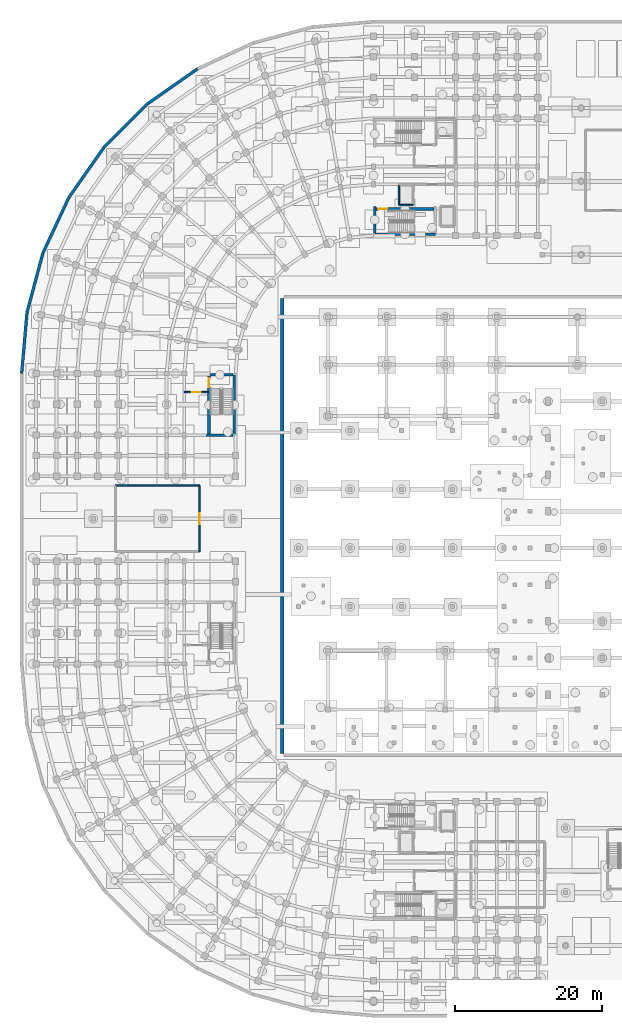
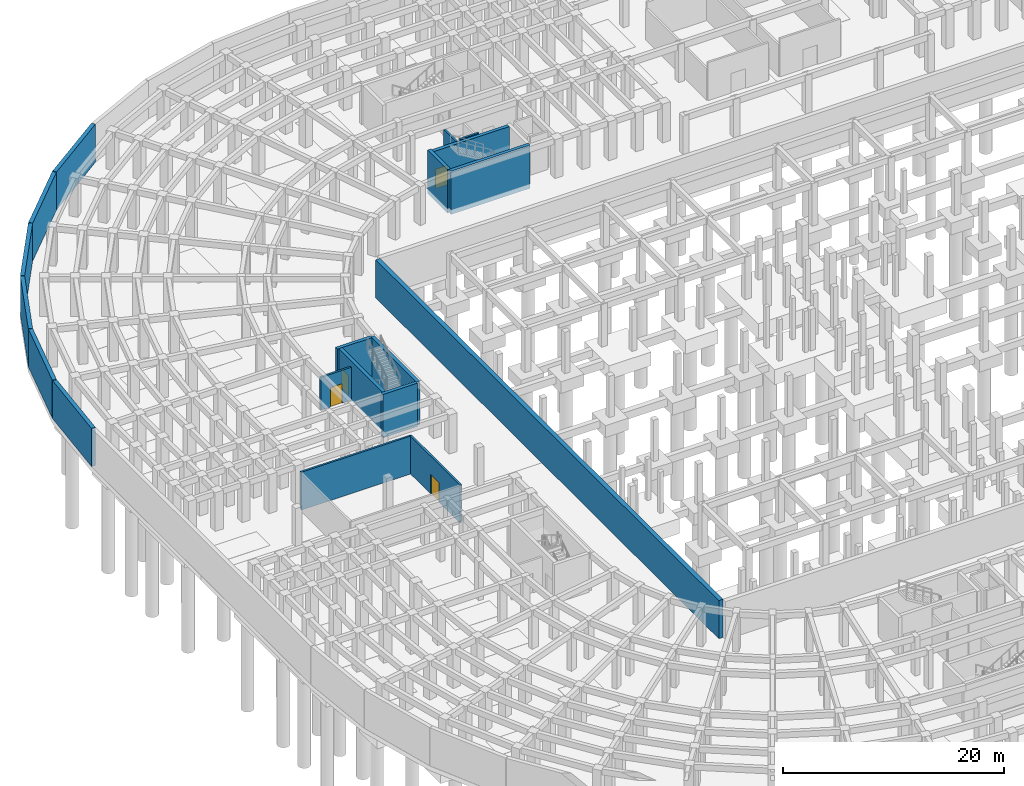
# One storey, part 33 of 53: 19 walls, 4 doors, 4 openings.
"""IFC4 building model written with IfcOpenShell, lengths in metres."""

from ifc_helpers import new_model, si_unit, direction, frame, frame_2d, origin, place, context, subcontext, project, spatial, rectangle, extrude, material, layer, layer_set, type_object, element, fill, save


model = new_model("IFC4")

# Units and contexts
model_context = context("Model", 3, precision=1e-05, world=origin(), true_north=direction((0.0, 1.0)))
body_context = subcontext(model_context, "Body", "Model", "MODEL_VIEW")
ifc_project = project(units=[si_unit("LENGTHUNIT", "METRE"), si_unit("AREAUNIT", "SQUARE_METRE"), si_unit("VOLUMEUNIT", "CUBIC_METRE"), si_unit("PLANEANGLEUNIT", "RADIAN"), si_unit("MASSUNIT", "GRAM", prefix="KILO")], contexts=[model_context])

# Site, building, storey
site_placement = place(None, origin())
site = spatial("IfcSite", under=ifc_project, at=site_placement, CompositionType="ELEMENT")
building_placement = place(site_placement, origin())
building = spatial("IfcBuilding", under=site, at=building_placement, Name="Kiranvali Square Residences", CompositionType="ELEMENT")
storey_placement = place(building_placement, frame((0.0, 0.0, -4.5)))
storey = spatial("IfcBuildingStorey", under=building, at=storey_placement, Name="B1", CompositionType="ELEMENT", Elevation=-4.5)

# Wall, opening, door
ifc_material_1 = material(Name="Autoclaved aerated concrete blockwork masonry", Category="masonry")
ifc_layer_1 = layer(ifc_material_1, 0.199951171875)
ifc_layer_set_1 = layer_set([ifc_layer_1], Name="Autoclaved aerated concrete blockwork masonry")
wall_type_1 = type_object("IfcWallType", Name="WL-COR-200", PredefinedType="STANDARD", material=ifc_layer_set_1)
wall_1_placement = place(storey_placement, frame((25.64990234375, 85.25, 0.0), z_axis=(0.0, 0.0, 1.0), x_axis=(-1.0, 0.0, 0.0)))
wall_1 = element("IfcWall", 1, at=wall_1_placement, inside=storey, type_object=wall_type_1, Name="B1 architectural wall WL-B1-A-S3-V", PredefinedType="STANDARD", context=body_context, shape_type="SweptSolid", body=[
    extrude(rectangle(XDim=3.25, YDim=0.199951171875, at=frame_2d((1.625, 0.0))), origin(), (0.0, 0.0, 1.0), 3.6220703125),
])
opening_1_placement = place(wall_1_placement, frame((1.014892578125, 0.0, 0.0)))
opening_1 = element("IfcOpeningElement", 2, at=opening_1_placement, cuts=wall_1, Name="Opening FD-COR-60", PredefinedType="OPENING", context=body_context, shape_type="SweptSolid", body=[
    extrude(rectangle(XDim=1.219970703125, YDim=2.14990234375, at=frame_2d((0.60986328125, 1.074951171875))), frame((0.0, 0.10986328125, 0.0), z_axis=(0.0, -1.0, 0.0), x_axis=(1.0, 0.0, 0.0)), (0.0, 0.0, 1.0), 0.219970703125),
])
ifc_material_2 = material(Name="Fire-rated acoustic hardwood and mineral-core door assembly", Category="wood")
door_type_1 = type_object("IfcDoorType", Name="DR-FD60-1200", OperationType="NOTDEFINED", PredefinedType="DOOR", material=ifc_material_2)
door_1_placement = place(opening_1_placement, frame((1.219970703125, 0.0, 0.0), z_axis=(0.0, 0.0, 1.0), x_axis=(-1.0, 0.0, 0.0)))
door_1 = element("IfcDoor", 3, at=door_1_placement, inside=storey, type_object=door_type_1, Name="B1 door DR-B1-0010 (DR-FD60-1200)", OperationType="SINGLE_SWING_RIGHT", OverallHeight=2.14990234375, OverallWidth=1.219970703125, PredefinedType="DOOR", context=body_context, shape_type="SweptSolid", body=[
    extrude(rectangle(XDim=1.219970703125, YDim=2.14990234375, at=frame_2d((0.60986328125, 1.074951171875))), frame((0.0, 0.02490234375, 0.0), z_axis=(0.0, -1.0, 0.0), x_axis=(1.0, 0.0, 0.0)), (0.0, 0.0, 1.0), 0.050048828125),
])
fill(opening_1, door_1)

# Walls
ifc_material_3 = material(Name="Concrete M40 (40 MPa)", Category="concrete")
ifc_layer_2 = layer(ifc_material_3, 0.39990234375)
ifc_layer_set_2 = layer_set([ifc_layer_2], Name="Concrete M40 (40 MPa)")
wall_type_2 = type_object("IfcWallType", Name="WL-RET-400", PredefinedType="USERDEFINED", material=ifc_layer_set_2)
for number, where, z_axis, x_axis, name in (
    (4, (24.18701171875, 129.3359375, 0.0), (0.0, 0.0, 1.0), (-0.819136644186, -0.573598429348, 0.0), "Shaped street-perimeter basement retaining wall 31"),
    (5, (17.33935546875, 124.534912109375, 0.0), (0.0, 0.0, 1.0), (-0.707106781187, -0.707106781187, 0.0), "Shaped street-perimeter basement retaining wall 32"),
    (6, (11.42919921875, 118.617919921875, 0.0), (0.0, 0.0, 1.0), (-0.573598429348, -0.819136644186, 0.0), "Shaped street-perimeter basement retaining wall 33"),
    (7, (6.63623046875, 111.7646484375, 0.0), (0.0, 0.0, 1.0), (-0.422607112374, -0.906312985988, 0.0), "Shaped street-perimeter basement retaining wall 34"),
    (8, (3.106201171875, 104.18310546875, 0.0), (0.0, 0.0, 1.0), (-0.258820304836, -0.965925488744, 0.0), "Shaped street-perimeter basement retaining wall 35"),
):
    element("IfcWall", number, at=place(storey_placement, frame(where, z_axis=z_axis, x_axis=x_axis)), inside=storey, type_object=wall_type_2, Name=name, ObjectType="RETAINING WALL", PredefinedType="USERDEFINED", context=body_context, shape_type="SweptSolid", body=[
        extrude(rectangle(XDim=8.307373046875, YDim=0.39990234375, at=frame_2d((4.15380859375, 0.0))), origin(), (0.0, 0.0, 1.0), 4.199951171875),
    ])
wall_2_placement = place(storey_placement, frame((0.946533203125, 96.103759765625, 0.0), z_axis=(0.0, 0.0, 1.0), x_axis=(-0.087164762929, -0.996193908887, 0.0)))
element("IfcWall", 9, at=wall_2_placement, inside=storey, type_object=wall_type_2, Name="Shaped street-perimeter basement retaining wall 36", ObjectType="RETAINING WALL", PredefinedType="USERDEFINED", context=body_context, shape_type="SweptSolid", body=[
    extrude(rectangle(XDim=8.3076171875, YDim=0.39990234375, at=frame_2d((4.15380859375, 0.0))), origin(), (0.0, 0.0, 1.0), 4.199951171875),
])
ifc_layer_3 = layer(ifc_material_3, 0.449951171875)
ifc_layer_set_3 = layer_set([ifc_layer_3], Name="Concrete M40 (40 MPa)")
wall_type_3 = type_object("IfcWallType", Name="WL-RET-450", PredefinedType="USERDEFINED", material=ifc_layer_set_3)
wall_3_placement = place(storey_placement, frame((35.77490234375, 98.0, 0.0), z_axis=(0.0, 0.0, 1.0), x_axis=(0.0, -1.0, 0.0)))
element("IfcWall", 10, at=wall_3_placement, inside=storey, type_object=wall_type_3, Name="Central garden substructure retaining wall RW-GDN-W", ObjectType="RETAINING WALL", PredefinedType="USERDEFINED", context=body_context, shape_type="SweptSolid", body=[
    extrude(rectangle(XDim=62.0, YDim=0.449951171875, at=frame_2d((31.0, 0.0))), origin(), (0.0, 0.0, 1.0), 4.199951171875),
])
ifc_layer_4 = layer(ifc_material_1, 0.199951171875)
ifc_layer_set_4 = layer_set([ifc_layer_4], Name="Autoclaved aerated concrete blockwork masonry")
wall_type_4 = type_object("IfcWallType", Name="WL-SHF-200", PredefinedType="STANDARD", material=ifc_layer_set_4)
wall_4_placement = place(storey_placement, frame((51.64990234375, 110.75, 0.0), z_axis=(0.0, 0.0, 1.0), x_axis=(1.0, 0.0, 0.0)))
element("IfcWall", 11, at=wall_4_placement, inside=storey, type_object=wall_type_4, Name="B1 architectural wall WL-B1-A-LP2-S0", PredefinedType="STANDARD", context=body_context, shape_type="SweptSolid", body=[
    extrude(rectangle(XDim=2.0, YDim=0.199951171875, at=frame_2d((1.0, 0.0))), origin(), (0.0, 0.0, 1.0), 4.179931640625),
])
wall_5_placement = place(storey_placement, frame((51.64990234375, 110.85009765625, 0.0), z_axis=(0.0, 0.0, 1.0), x_axis=(0.0, 1.0, 0.0)))
element("IfcWall", 12, at=wall_5_placement, inside=storey, type_object=wall_type_4, Name="B1 architectural wall WL-B1-A-LP2-S1", PredefinedType="STANDARD", context=body_context, shape_type="SweptSolid", body=[
    extrude(rectangle(XDim=2.599853515625, YDim=0.199951171875, at=frame_2d((1.2998046875, 0.0))), origin(), (0.0, 0.0, 1.0), 3.6220703125),
])

# Wall, opening, door
wall_6_placement = place(storey_placement, frame((24.5, 63.5, 0.0), z_axis=(0.0, 0.0, 1.0), x_axis=(0.0, 1.0, 0.0)))
wall_6 = element("IfcWall", 13, at=wall_6_placement, inside=storey, type_object=wall_type_4, Name="B1 architectural wall WL-B1-CYC-N-E", PredefinedType="STANDARD", context=body_context, shape_type="SweptSolid", body=[
    extrude(rectangle(XDim=9.0, YDim=0.199951171875, at=frame_2d((4.5, 0.0))), origin(), (0.0, 0.0, 1.0), 4.179931640625),
])
opening_2_placement = place(wall_6_placement, frame((3.72998046875, 0.0, 0.0)))
opening_2 = element("IfcOpeningElement", 14, at=opening_2_placement, cuts=wall_6, Name="Opening SD-PLT-120", PredefinedType="OPENING", context=body_context, shape_type="SweptSolid", body=[
    extrude(rectangle(XDim=1.5400390625, YDim=2.14990234375, at=frame_2d((0.77001953125, 1.074951171875))), frame((0.0, 0.10986328125, 0.0), z_axis=(0.0, -1.0, 0.0), x_axis=(1.0, 0.0, 0.0)), (0.0, 0.0, 1.0), 0.219970703125),
])
ifc_material_4 = material(Name="Galvanised powder-coated steel roller shutter", Category="steel")
door_type_2 = type_object("IfcDoorType", Name="DR-STEEL-1500", OperationType="NOTDEFINED", PredefinedType="DOOR", material=ifc_material_4)
door_2_placement = place(opening_2_placement, frame((1.5400390625, 0.0, 0.0), z_axis=(0.0, 0.0, 1.0), x_axis=(-1.0, 0.0, 0.0)))
door_2 = element("IfcDoor", 15, at=door_2_placement, inside=storey, type_object=door_type_2, Name="B1 door DR-B1-0040 (DR-STEEL-1500)", OperationType="SINGLE_SWING_RIGHT", OverallHeight=2.14990234375, OverallWidth=1.5400390625, PredefinedType="DOOR", context=body_context, shape_type="SweptSolid", body=[
    extrude(rectangle(XDim=1.5400390625, YDim=2.14990234375, at=frame_2d((0.77001953125, 1.074951171875))), frame((0.0, 0.02490234375, 0.0), z_axis=(0.0, -1.0, 0.0), x_axis=(1.0, 0.0, 0.0)), (0.0, 0.0, 1.0), 0.050048828125),
])
fill(opening_2, door_2)

# Walls
wall_7_placement = place(storey_placement, frame((24.5, 72.5, 0.0), z_axis=(0.0, 0.0, 1.0), x_axis=(-1.0, 0.0, 0.0)))
element("IfcWall", 16, at=wall_7_placement, inside=storey, type_object=wall_type_4, Name="B1 architectural wall WL-B1-CYC-N-N", PredefinedType="STANDARD", context=body_context, shape_type="SweptSolid", body=[
    extrude(rectangle(XDim=11.5, YDim=0.199951171875, at=frame_2d((5.75, 0.0))), origin(), (0.0, 0.0, 1.0), 4.179931640625),
])
ifc_material_5 = material(Name="Concrete M50 (50 MPa)", Category="concrete")
ifc_layer_5 = layer(ifc_material_5, 0.35009765625)
ifc_layer_set_5 = layer_set([ifc_layer_5], Name="Concrete M50 (50 MPa)")
wall_type_5 = type_object("IfcWallType", Name="WL-SHR-350", PredefinedType="SHEAR", material=ifc_layer_set_5)
wall_8_placement = place(storey_placement, frame((48.375, 106.77490234375, -0.5), z_axis=(0.0, 0.0, 1.0), x_axis=(1.0, 0.0, 0.0)))
element("IfcWall", 17, at=wall_8_placement, inside=storey, type_object=wall_type_5, Name="Block A core shear wall SW-A2-OUT-B1", PredefinedType="SHEAR", context=body_context, shape_type="SweptSolid", body=[
    extrude(rectangle(XDim=8.25, YDim=0.35009765625, at=frame_2d((4.125, 0.0))), origin(), (0.0, 0.0, 1.0), 4.780029296875),
])

# Wall, opening, door
wall_9_placement = place(storey_placement, frame((48.550048828125, 110.22509765625, 0.0), z_axis=(0.0, 0.0, 1.0), x_axis=(1.0, 0.0, 0.0)))
wall_9 = element("IfcWall", 18, at=wall_9_placement, inside=storey, type_object=wall_type_5, Name="Block A core shear wall SW-A2-IN-B1", PredefinedType="SHEAR", context=body_context, shape_type="SweptSolid", body=[
    extrude(rectangle(XDim=7.89990234375, YDim=0.35009765625, at=frame_2d((3.949951171875, 0.0))), origin(), (0.0, 0.0, 1.0), 4.280029296875),
])
opening_3_placement = place(wall_9_placement, frame((0.280029296875, 0.0, 0.0)))
opening_3 = element("IfcOpeningElement", 19, at=opening_3_placement, cuts=wall_9, Name="Opening FD-ST-120", PredefinedType="OPENING", context=body_context, shape_type="SweptSolid", body=[
    extrude(rectangle(XDim=1.239990234375, YDim=2.14990234375, at=frame_2d((0.6201171875, 1.074951171875))), frame((0.0, 0.18505859375, 0.0), z_axis=(0.0, -1.0, 0.0), x_axis=(1.0, 0.0, 0.0)), (0.0, 0.0, 1.0), 0.3701171875),
])
door_type_3 = type_object("IfcDoorType", Name="DR-FD120-1200", OperationType="NOTDEFINED", PredefinedType="DOOR", material=ifc_material_2)
door_3_placement = place(opening_3_placement, frame((1.239990234375, 0.0, 0.0), z_axis=(0.0, 0.0, 1.0), x_axis=(-1.0, 0.0, 0.0)))
door_3 = element("IfcDoor", 20, at=door_3_placement, inside=storey, type_object=door_type_3, Name="B1 door DR-B1-0005 (DR-FD120-1200)", OperationType="SINGLE_SWING_LEFT", OverallHeight=2.14990234375, OverallWidth=1.239990234375, PredefinedType="DOOR", context=body_context, shape_type="SweptSolid", body=[
    extrude(rectangle(XDim=1.239990234375, YDim=2.14990234375, at=frame_2d((0.6201171875, 1.074951171875))), frame((0.0, 0.02490234375, 0.0), z_axis=(0.0, -1.0, 0.0), x_axis=(1.0, 0.0, 0.0)), (0.0, 0.0, 1.0), 0.050048828125),
])
fill(opening_3, door_3)

# Walls
wall_10_placement = place(storey_placement, frame((48.375, 106.949951171875, -0.5), z_axis=(0.0, 0.0, 1.0), x_axis=(0.0, 1.0, 0.0)))
element("IfcWall", 21, at=wall_10_placement, inside=storey, type_object=wall_type_5, Name="Block A core shear wall SW-A2-NEAR-B1", PredefinedType="SHEAR", context=body_context, shape_type="SweptSolid", body=[
    extrude(rectangle(XDim=3.60009765625, YDim=0.35009765625, at=frame_2d((1.800048828125, 0.0))), origin(), (0.0, 0.0, 1.0), 4.780029296875),
])
wall_11_placement = place(storey_placement, frame((29.22509765625, 87.625, -0.5), z_axis=(0.0, 0.0, 1.0), x_axis=(0.0, -1.0, 0.0)))
element("IfcWall", 22, at=wall_11_placement, inside=storey, type_object=wall_type_5, Name="Block A core shear wall SW-A3-OUT-B1", PredefinedType="SHEAR", context=body_context, shape_type="SweptSolid", body=[
    extrude(rectangle(XDim=8.25, YDim=0.35009765625, at=frame_2d((4.125, 0.0))), origin(), (0.0, 0.0, 1.0), 4.780029296875),
])

# Wall, opening, door
wall_12_placement = place(storey_placement, frame((25.77490234375, 87.449951171875, 0.0), z_axis=(0.0, 0.0, 1.0), x_axis=(0.0, -1.0, 0.0)))
wall_12 = element("IfcWall", 23, at=wall_12_placement, inside=storey, type_object=wall_type_5, Name="Block A core shear wall SW-A3-IN-B1", PredefinedType="SHEAR", context=body_context, shape_type="SweptSolid", body=[
    extrude(rectangle(XDim=7.89990234375, YDim=0.35009765625, at=frame_2d((3.949951171875, 0.0))), origin(), (0.0, 0.0, 1.0), 4.280029296875),
])
opening_4_placement = place(wall_12_placement, frame((0.280029296875, 0.0, 0.0)))
opening_4 = element("IfcOpeningElement", 24, at=opening_4_placement, cuts=wall_12, Name="Opening FD-ST-120", PredefinedType="OPENING", context=body_context, shape_type="SweptSolid", body=[
    extrude(rectangle(XDim=1.239990234375, YDim=2.14990234375, at=frame_2d((0.6201171875, 1.074951171875))), frame((0.0, 0.18505859375, 0.0), z_axis=(0.0, -1.0, 0.0), x_axis=(1.0, 0.0, 0.0)), (0.0, 0.0, 1.0), 0.3701171875),
])
door_4_placement = place(opening_4_placement, origin())
door_4 = element("IfcDoor", 25, at=door_4_placement, inside=storey, type_object=door_type_3, Name="B1 door DR-B1-0006 (DR-FD120-1200)", OperationType="SINGLE_SWING_RIGHT", OverallHeight=2.14990234375, OverallWidth=1.239990234375, PredefinedType="DOOR", context=body_context, shape_type="SweptSolid", body=[
    extrude(rectangle(XDim=1.239990234375, YDim=2.14990234375, at=frame_2d((0.6201171875, 1.074951171875))), frame((0.0, 0.02490234375, 0.0), z_axis=(0.0, -1.0, 0.0), x_axis=(1.0, 0.0, 0.0)), (0.0, 0.0, 1.0), 0.050048828125),
])
fill(opening_4, door_4)

# Walls
for number, where, z_axis, x_axis, name in (
    (26, (29.050048828125, 87.625, -0.5), (0.0, 0.0, 1.0), (-1.0, 0.0, 0.0), "Block A core shear wall SW-A3-NEAR-B1"),
    (27, (29.050048828125, 79.375, -0.5), (0.0, 0.0, 1.0), (-1.0, 0.0, 0.0), "Block A core shear wall SW-A3-FAR-B1"),
):
    element("IfcWall", number, at=place(storey_placement, frame(where, z_axis=z_axis, x_axis=x_axis)), inside=storey, type_object=wall_type_5, Name=name, PredefinedType="SHEAR", context=body_context, shape_type="SweptSolid", body=[
        extrude(rectangle(XDim=3.60009765625, YDim=0.35009765625, at=frame_2d((1.800048828125, 0.0))), origin(), (0.0, 0.0, 1.0), 4.780029296875),
    ])

save(model, "model.ifc")
